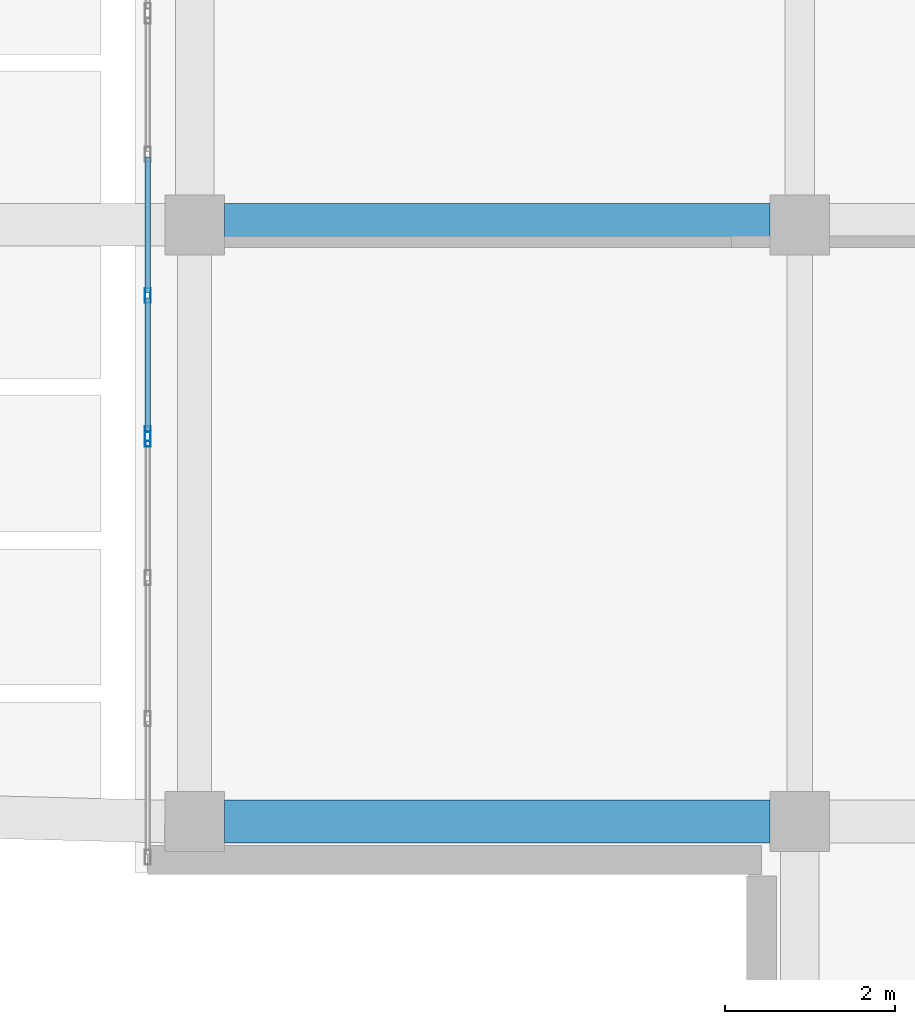
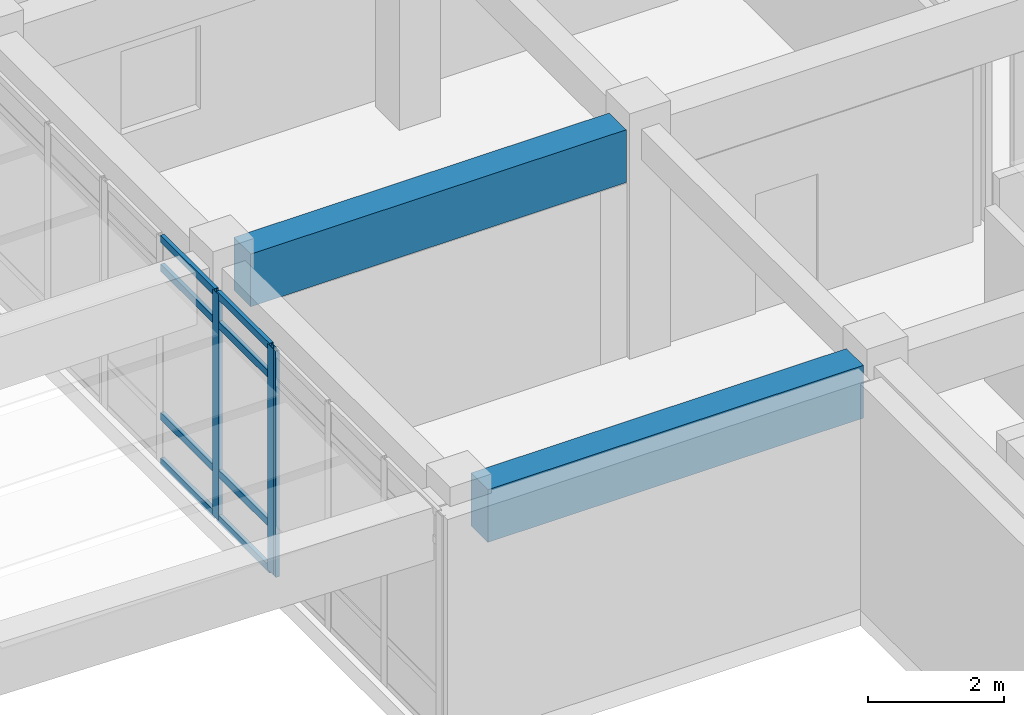
# One storey, part 15 of 142: 11 members, 2 beams, 2 elements without a shape of their own.
"""IFC4 building model written with IfcOpenShell, lengths in metres."""

from ifc_helpers import new_model, si_unit, direction, frame, origin, origin_2d, place, context, subcontext, project, spatial, rectangle, hollow_rectangle, extrude, material, layer, layer_set, material_profile, profile_set, type_object, element, aggregate, save


model = new_model("IFC4")

# Units and contexts
model_context = context("Model", 3, precision=1e-05, world=origin(), true_north=direction((0.0, 1.0)))
body_context = subcontext(model_context, "Body", "Model", "MODEL_VIEW")
ifc_project = project(units=[si_unit("LENGTHUNIT", "METRE"), si_unit("AREAUNIT", "SQUARE_METRE"), si_unit("VOLUMEUNIT", "CUBIC_METRE"), si_unit("PLANEANGLEUNIT", "RADIAN"), si_unit("MASSUNIT", "GRAM", prefix="KILO")], contexts=[model_context])

# Site, building, storey
site_placement = place(None, origin())
site = spatial("IfcSite", under=ifc_project, at=site_placement, CompositionType="ELEMENT")
building_placement = place(site_placement, origin())
building = spatial("IfcBuilding", under=site, at=building_placement, Name="Valcora Specialist Clinic", CompositionType="ELEMENT")
storey_placement = place(building_placement, frame((0.0, 0.0, 5.10009765625)))
storey = spatial("IfcBuildingStorey", under=building, at=storey_placement, Name="L01", CompositionType="ELEMENT", Elevation=5.10009765625)

# Beams
ifc_material_1 = material(Name="Concrete C40/50", Category="concrete")
ifc_material_profile_1 = material_profile(ifc_material_1, rectangle(XDim=0.5, YDim=0.949951171875, at=origin_2d()), Name="RC-BM-500X950")
ifc_profile_set_1 = profile_set([ifc_material_profile_1], Name="Concrete C40/50")
beam_type = type_object("IfcBeamType", Name="TY-BM-TR500X950", PredefinedType="BEAM", material=ifc_profile_set_1)
for number, where, z_axis, x_axis, name in (
    (1, (9.449951171875, 8.199951171875, 3.599853515625), (1.0, 0.0, 0.0), (0.0, 1.0, 0.0), "Beam BM-L01-0940"),
    (2, (9.449951171875, 15.199951171875, 3.599853515625), (1.0, 0.0, 0.0), (0.0, 1.0, 0.0), "Beam BM-L01-0947"),
):
    element("IfcBeam", number, at=place(storey_placement, frame(where, z_axis=z_axis, x_axis=x_axis)), inside=storey, type_object=beam_type, Name=name, PredefinedType="BEAM", context=body_context, shape_type="SweptSolid", body=[
        extrude(rectangle(XDim=0.5, YDim=0.949951171875, at=origin_2d()), origin(), (0.0, 0.0, 1.0), 6.400146484375),
    ])

# Curtain wall, member
ifc_material_2 = material(Name="Anodized Bronze Aluminium 6063-T6", Category="aluminium")
ifc_layer = layer(ifc_material_2, 0.175048828125)
ifc_layer_set = layer_set([ifc_layer], Name="Anodized Bronze Aluminium 6063-T6")
curtain_wall_type = type_object("IfcCurtainWallType", Name="TY-CW-V5F15", PredefinedType="NOTDEFINED", material=ifc_layer_set)
curtain_wall_1_placement = place(storey_placement, origin())
curtain_wall_1 = element("IfcCurtainWall", 3, at=curtain_wall_1_placement, inside=storey, type_object=curtain_wall_type, Name="Curtain wall CW-L01-137", PredefinedType="NOTDEFINED")
ifc_material_profile_2 = material_profile(ifc_material_2, hollow_rectangle(XDim=0.06494140625, YDim=0.175048828125, WallThickness=0.00390625, at=origin_2d()), Name="AL-MUL-65X175")
ifc_profile_set_2 = profile_set([ifc_material_profile_2], Name="Anodized Bronze Aluminium 6063-T6")
member_type_1 = type_object("IfcMemberType", Name="TY-CWM-65X175", PredefinedType="MULLION", material=ifc_profile_set_2)
member_1_placement = place(storey_placement, frame((8.550048828125, 12.68408203125, 0.0), z_axis=(0.0, 0.0, 1.0), x_axis=(-1.0, 0.0, 0.0)))
member_1 = element("IfcMember", 4, at=member_1_placement, type_object=member_type_1, Name="CW-V5F-15 mullion 4", PredefinedType="MULLION", context=body_context, shape_type="SweptSolid", body=[
    extrude(hollow_rectangle(XDim=0.06494140625, YDim=0.175048828125, WallThickness=0.00390625, at=origin_2d()), origin(), (0.0, 0.0, 1.0), 4.074951171875),
])
aggregate(curtain_wall_1, [member_1])

# Curtain wall, members
curtain_wall_2_placement = place(storey_placement, origin())
curtain_wall_2 = element("IfcCurtainWall", 5, at=curtain_wall_2_placement, inside=storey, type_object=curtain_wall_type, Name="Curtain wall CW-L01-138", PredefinedType="NOTDEFINED")
member_2_placement = place(storey_placement, frame((8.550048828125, 12.749267578125, 0.0), z_axis=(0.0, 0.0, 1.0), x_axis=(-1.0, 0.0, 0.0)))
member_2 = element("IfcMember", 6, at=member_2_placement, type_object=member_type_1, Name="CW-V5F-15 mullion 1", PredefinedType="MULLION", context=body_context, shape_type="SweptSolid", body=[
    extrude(hollow_rectangle(XDim=0.06494140625, YDim=0.175048828125, WallThickness=0.00390625, at=origin_2d()), origin(), (0.0, 0.0, 1.0), 4.074951171875),
])
member_3_placement = place(storey_placement, frame((8.550048828125, 14.372314453125, 0.0), z_axis=(0.0, 0.0, 1.0), x_axis=(-1.0, 0.0, 0.0)))
member_3 = element("IfcMember", 7, at=member_3_placement, type_object=member_type_1, Name="CW-V5F-15 mullion 2", PredefinedType="MULLION", context=body_context, shape_type="SweptSolid", body=[
    extrude(hollow_rectangle(XDim=0.06494140625, YDim=0.175048828125, WallThickness=0.00390625, at=origin_2d()), origin(), (0.0, 0.0, 1.0), 4.074951171875),
])
ifc_material_profile_3 = material_profile(ifc_material_2, hollow_rectangle(XDim=0.06494140625, YDim=0.1298828125, WallThickness=0.00390625, at=origin_2d()), Name="AL-TRN-65X130")
ifc_profile_set_3 = profile_set([ifc_material_profile_3], Name="Anodized Bronze Aluminium 6063-T6")
member_type_2 = type_object("IfcMemberType", Name="TY-CWT-65X130", PredefinedType="USERDEFINED", material=ifc_profile_set_3)
member_4_placement = place(storey_placement, frame((8.550048828125, 12.78173828125, 0.032470703125), z_axis=(0.0, 1.0, 0.0), x_axis=(-1.0, 0.0, 0.0)))
member_4 = element("IfcMember", 8, at=member_4_placement, type_object=member_type_2, Name="CW-V5F-15 transom 1.1", ObjectType="TRANSOM", PredefinedType="USERDEFINED", context=body_context, shape_type="SweptSolid", body=[
    extrude(hollow_rectangle(XDim=0.06494140625, YDim=0.1298828125, WallThickness=0.00390625, at=origin_2d()), origin(), (0.0, 0.0, 1.0), 1.55810546875),
])
member_5_placement = place(storey_placement, frame((8.550048828125, 12.78173828125, 0.849853515625), z_axis=(0.0, 1.0, 0.0), x_axis=(-1.0, 0.0, 0.0)))
member_5 = element("IfcMember", 9, at=member_5_placement, type_object=member_type_2, Name="CW-V5F-15 transom 1.2", ObjectType="TRANSOM", PredefinedType="USERDEFINED", context=body_context, shape_type="SweptSolid", body=[
    extrude(hollow_rectangle(XDim=0.06494140625, YDim=0.1298828125, WallThickness=0.00390625, at=origin_2d()), origin(), (0.0, 0.0, 1.0), 1.55810546875),
])
member_6_placement = place(storey_placement, frame((8.550048828125, 12.78173828125, 3.52490234375), z_axis=(0.0, 1.0, 0.0), x_axis=(-1.0, 0.0, 0.0)))
member_6 = element("IfcMember", 10, at=member_6_placement, type_object=member_type_2, Name="CW-V5F-15 transom 1.3", ObjectType="TRANSOM", PredefinedType="USERDEFINED", context=body_context, shape_type="SweptSolid", body=[
    extrude(hollow_rectangle(XDim=0.06494140625, YDim=0.1298828125, WallThickness=0.00390625, at=origin_2d()), origin(), (0.0, 0.0, 1.0), 1.55810546875),
])
member_7_placement = place(storey_placement, frame((8.550048828125, 12.78173828125, 4.04248046875), z_axis=(0.0, 1.0, 0.0), x_axis=(-1.0, 0.0, 0.0)))
member_7 = element("IfcMember", 11, at=member_7_placement, type_object=member_type_2, Name="CW-V5F-15 transom 1.4", ObjectType="TRANSOM", PredefinedType="USERDEFINED", context=body_context, shape_type="SweptSolid", body=[
    extrude(hollow_rectangle(XDim=0.06494140625, YDim=0.1298828125, WallThickness=0.00390625, at=origin_2d()), origin(), (0.0, 0.0, 1.0), 1.55810546875),
])
member_8_placement = place(storey_placement, frame((8.550048828125, 14.40478515625, 0.032470703125), z_axis=(0.0, 1.0, 0.0), x_axis=(-1.0, 0.0, 0.0)))
member_8 = element("IfcMember", 12, at=member_8_placement, type_object=member_type_2, Name="CW-V5F-15 transom 2.1", ObjectType="TRANSOM", PredefinedType="USERDEFINED", context=body_context, shape_type="SweptSolid", body=[
    extrude(hollow_rectangle(XDim=0.06494140625, YDim=0.1298828125, WallThickness=0.00390625, at=origin_2d()), origin(), (0.0, 0.0, 1.0), 1.590576171875),
])
member_9_placement = place(storey_placement, frame((8.550048828125, 14.40478515625, 0.849853515625), z_axis=(0.0, 1.0, 0.0), x_axis=(-1.0, 0.0, 0.0)))
member_9 = element("IfcMember", 13, at=member_9_placement, type_object=member_type_2, Name="CW-V5F-15 transom 2.2", ObjectType="TRANSOM", PredefinedType="USERDEFINED", context=body_context, shape_type="SweptSolid", body=[
    extrude(hollow_rectangle(XDim=0.06494140625, YDim=0.1298828125, WallThickness=0.00390625, at=origin_2d()), origin(), (0.0, 0.0, 1.0), 1.590576171875),
])
member_10_placement = place(storey_placement, frame((8.550048828125, 14.40478515625, 3.52490234375), z_axis=(0.0, 1.0, 0.0), x_axis=(-1.0, 0.0, 0.0)))
member_10 = element("IfcMember", 14, at=member_10_placement, type_object=member_type_2, Name="CW-V5F-15 transom 2.3", ObjectType="TRANSOM", PredefinedType="USERDEFINED", context=body_context, shape_type="SweptSolid", body=[
    extrude(hollow_rectangle(XDim=0.06494140625, YDim=0.1298828125, WallThickness=0.00390625, at=origin_2d()), origin(), (0.0, 0.0, 1.0), 1.590576171875),
])
member_11_placement = place(storey_placement, frame((8.550048828125, 14.40478515625, 4.04248046875), z_axis=(0.0, 1.0, 0.0), x_axis=(-1.0, 0.0, 0.0)))
member_11 = element("IfcMember", 15, at=member_11_placement, type_object=member_type_2, Name="CW-V5F-15 transom 2.4", ObjectType="TRANSOM", PredefinedType="USERDEFINED", context=body_context, shape_type="SweptSolid", body=[
    extrude(hollow_rectangle(XDim=0.06494140625, YDim=0.1298828125, WallThickness=0.00390625, at=origin_2d()), origin(), (0.0, 0.0, 1.0), 1.590576171875),
])
aggregate(curtain_wall_2, [member_2, member_3, member_4, member_5, member_6, member_7, member_8, member_9, member_10, member_11])

save(model, "model.ifc")
